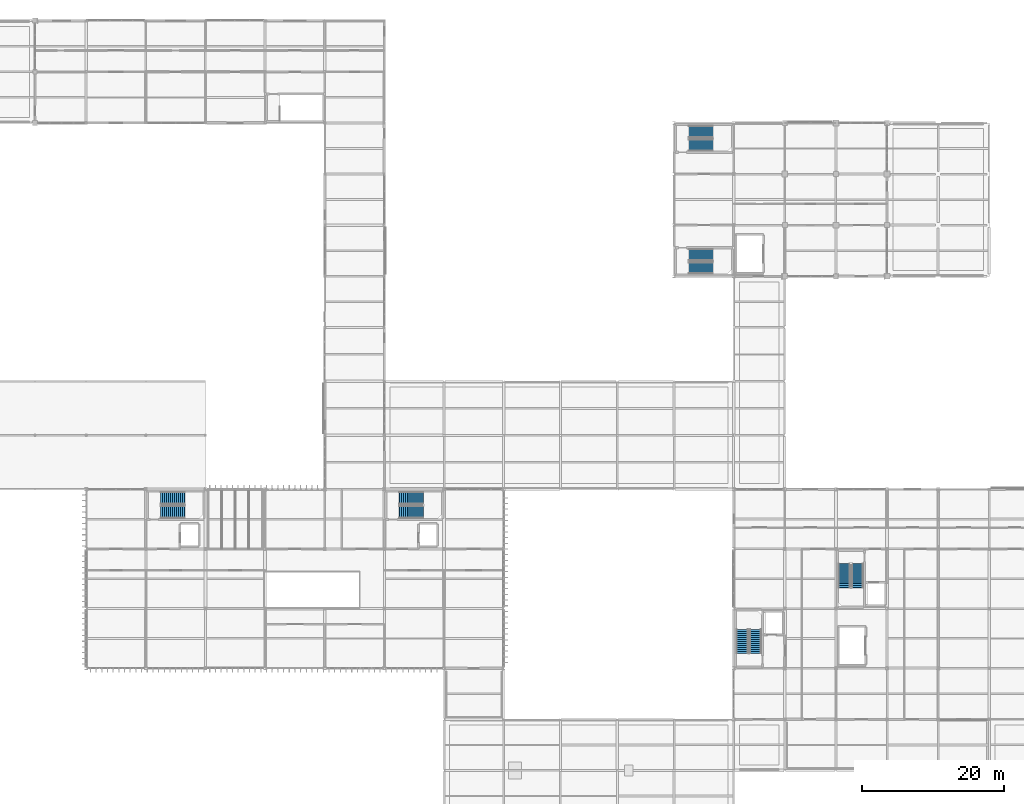
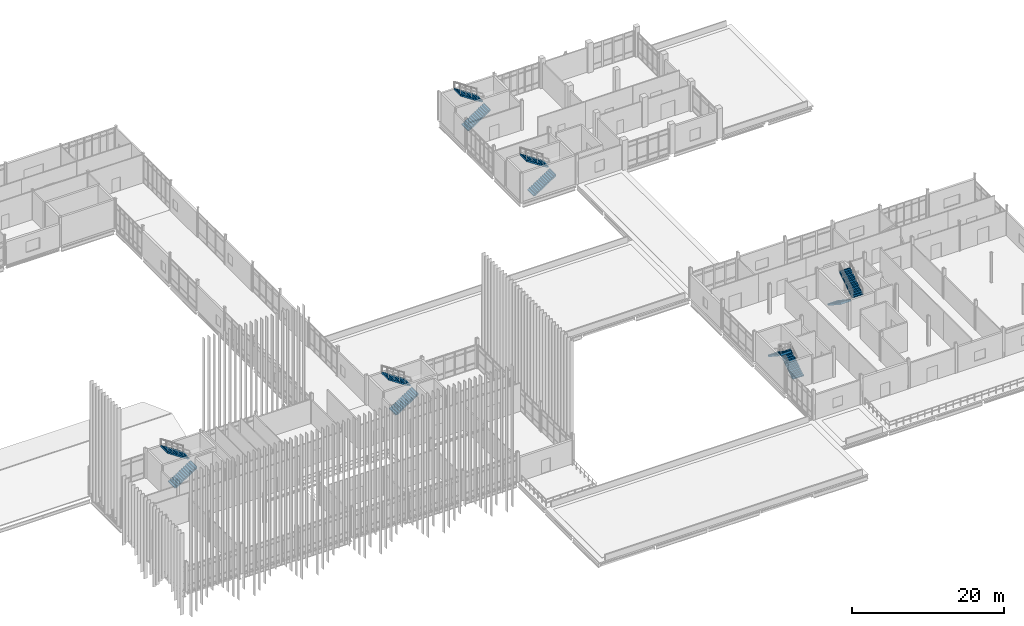
# One storey, part 135 of 153: 12 stair flights, 6 elements without a shape of their own.
"""IFC4 building model written with IfcOpenShell, lengths in metres."""

from ifc_helpers import new_model, si_unit, direction, frame, origin, place, context, subcontext, project, spatial, polyline, outline, extrude, material, type_object, element, aggregate, save


model = new_model("IFC4")

# Units and contexts
model_context = context("Model", 3, precision=1e-05, world=origin(), true_north=direction((0.0, 1.0)))
body_context = subcontext(model_context, "Body", "Model", "MODEL_VIEW")
ifc_project = project(units=[si_unit("LENGTHUNIT", "METRE"), si_unit("AREAUNIT", "SQUARE_METRE"), si_unit("VOLUMEUNIT", "CUBIC_METRE"), si_unit("PLANEANGLEUNIT", "RADIAN"), si_unit("MASSUNIT", "GRAM", prefix="KILO")], contexts=[model_context])

# Site, building, storey
site_placement = place(None, origin())
site = spatial("IfcSite", under=ifc_project, at=site_placement, CompositionType="ELEMENT")
building_placement = place(site_placement, origin())
building = spatial("IfcBuilding", under=site, at=building_placement, Name="Calvrana Isthmian Art Gallery", CompositionType="ELEMENT")
storey_placement = place(building_placement, frame((0.0, 0.0, 10.199951171875)))
storey = spatial("IfcBuildingStorey", under=building, at=storey_placement, Name="L02", CompositionType="ELEMENT", Elevation=10.199951171875)

# Stair, stair flights
ifc_material = material(Name="Concrete C40/50", Category="concrete")
stair_type_1 = type_object("IfcStairType", Name="STR-HT-480", PredefinedType="HALF_TURN_STAIR", material=ifc_material)
stair_1_placement = place(storey_placement, origin())
stair_1 = element("IfcStair", 1, at=stair_1_placement, inside=storey, type_object=stair_type_1, Name="Protected exit stair ST-3 (L02)", PredefinedType="HALF_TURN_STAIR")
stair_flight_type_1 = type_object("IfcStairFlightType", Name="STF-1660", PredefinedType="STRAIGHT", material=ifc_material)
stair_flight_1_placement = place(storey_placement, frame((115.860107421875, 23.699951171875, 0.0), z_axis=(0.0, 0.0, 1.0), x_axis=(0.0, 1.0, 0.0)))
stair_flight_1 = element("IfcStairFlight", 2, at=stair_flight_1_placement, type_object=stair_flight_type_1, Name="ST-3 flight 1", NumberOfRisers=13, NumberOfTreads=12, PredefinedType="STRAIGHT", RiserHeight=0.184615385, TreadLength=0.28, context=body_context, shape_type="SweptSolid", body=[
    extrude(outline(polyline([(-0.02490234375, 0.0), (-0.02490234375, 0.06005859375), (0.0, 0.06005859375), (0.0, 0.1845703125), (0.280029296875, 0.1845703125), (0.280029296875, 0.369140625), (0.56005859375, 0.369140625), (0.56005859375, 0.553955078125), (0.840087890625, 0.553955078125), (0.840087890625, 0.738525390625), (1.1201171875, 0.738525390625), (1.1201171875, 0.923095703125), (1.39990234375, 0.923095703125), (1.39990234375, 1.107666015625), (1.679931640625, 1.107666015625), (1.679931640625, 1.292236328125), (1.9599609375, 1.292236328125), (1.9599609375, 1.476806640625), (2.239990234375, 1.476806640625), (2.239990234375, 1.66162109375), (2.52001953125, 1.66162109375), (2.52001953125, 1.84619140625), (2.800048828125, 1.84619140625), (2.800048828125, 2.03076171875), (3.080078125, 2.03076171875), (3.080078125, 2.21533203125), (3.360107421875, 2.21533203125), (3.360107421875, 2.39990234375), (3.385009765625, 2.39990234375), (3.385009765625, 2.035888671875), (3.360107421875, 2.035888671875), (0.272216796875, 0.0), (-0.02490234375, 0.0)])), frame((0.0, 0.830078125, 0.0), z_axis=(0.0, -1.0, 0.0), x_axis=(1.0, 0.0, 0.0)), (0.0, 0.0, 1.0), 1.659912109375),
])
stair_flight_2_placement = place(storey_placement, frame((114.0, 27.06005859375, 2.400146484375), z_axis=(0.0, 0.0, 1.0), x_axis=(0.0, -1.0, 0.0)))
stair_flight_2 = element("IfcStairFlight", 3, at=stair_flight_2_placement, type_object=stair_flight_type_1, Name="ST-3 flight 2", NumberOfRisers=13, NumberOfTreads=12, PredefinedType="STRAIGHT", RiserHeight=0.184615385, TreadLength=0.28, context=body_context, shape_type="SweptSolid", body=[
    extrude(outline(polyline([(-0.02490234375, 0.0), (-0.02490234375, 0.06005859375), (0.0, 0.06005859375), (0.0, 0.1845703125), (0.280029296875, 0.1845703125), (0.280029296875, 0.369140625), (0.56005859375, 0.369140625), (0.56005859375, 0.553955078125), (0.840087890625, 0.553955078125), (0.840087890625, 0.738525390625), (1.1201171875, 0.738525390625), (1.1201171875, 0.923095703125), (1.39990234375, 0.923095703125), (1.39990234375, 1.107666015625), (1.679931640625, 1.107666015625), (1.679931640625, 1.292236328125), (1.9599609375, 1.292236328125), (1.9599609375, 1.476806640625), (2.239990234375, 1.476806640625), (2.239990234375, 1.66162109375), (2.52001953125, 1.66162109375), (2.52001953125, 1.84619140625), (2.800048828125, 1.84619140625), (2.800048828125, 2.03076171875), (3.080078125, 2.03076171875), (3.080078125, 2.21533203125), (3.360107421875, 2.21533203125), (3.360107421875, 2.39990234375), (3.385009765625, 2.39990234375), (3.385009765625, 2.035888671875), (3.360107421875, 2.035888671875), (0.272216796875, 0.0), (-0.02490234375, 0.0)])), frame((0.0, 0.830078125, 0.0), z_axis=(0.0, -1.0, 0.0), x_axis=(1.0, 0.0, 0.0)), (0.0, 0.0, 1.0), 1.659912109375),
])
aggregate(stair_1, [stair_flight_1, stair_flight_2])

stair_2_placement = place(storey_placement, origin())
stair_2 = element("IfcStair", 4, at=stair_2_placement, inside=storey, type_object=stair_type_1, Name="Protected exit stair ST-4 (L02)", PredefinedType="HALF_TURN_STAIR")
stair_flight_3_placement = place(storey_placement, frame((128.3798828125, 36.300048828125, 0.0), z_axis=(0.0, 0.0, 1.0), x_axis=(0.0, -1.0, 0.0)))
stair_flight_3 = element("IfcStairFlight", 5, at=stair_flight_3_placement, type_object=stair_flight_type_1, Name="ST-4 flight 1", NumberOfRisers=13, NumberOfTreads=12, PredefinedType="STRAIGHT", RiserHeight=0.184615385, TreadLength=0.28, context=body_context, shape_type="SweptSolid", body=[
    extrude(outline(polyline([(-0.02490234375, 0.0), (-0.02490234375, 0.06005859375), (0.0, 0.06005859375), (0.0, 0.1845703125), (0.280029296875, 0.1845703125), (0.280029296875, 0.369140625), (0.56005859375, 0.369140625), (0.56005859375, 0.553955078125), (0.840087890625, 0.553955078125), (0.840087890625, 0.738525390625), (1.1201171875, 0.738525390625), (1.1201171875, 0.923095703125), (1.39990234375, 0.923095703125), (1.39990234375, 1.107666015625), (1.679931640625, 1.107666015625), (1.679931640625, 1.292236328125), (1.9599609375, 1.292236328125), (1.9599609375, 1.476806640625), (2.239990234375, 1.476806640625), (2.239990234375, 1.66162109375), (2.52001953125, 1.66162109375), (2.52001953125, 1.84619140625), (2.800048828125, 1.84619140625), (2.800048828125, 2.03076171875), (3.080078125, 2.03076171875), (3.080078125, 2.21533203125), (3.360107421875, 2.21533203125), (3.360107421875, 2.39990234375), (3.385009765625, 2.39990234375), (3.385009765625, 2.035888671875), (3.360107421875, 2.035888671875), (0.272216796875, 0.0), (-0.02490234375, 0.0)])), frame((0.0, 0.830078125, 0.0), z_axis=(0.0, -1.0, 0.0), x_axis=(1.0, 0.0, 0.0)), (0.0, 0.0, 1.0), 1.659912109375),
])
stair_flight_4_placement = place(storey_placement, frame((130.239990234375, 32.93994140625, 2.400146484375), z_axis=(0.0, 0.0, 1.0), x_axis=(0.0, 1.0, 0.0)))
stair_flight_4 = element("IfcStairFlight", 6, at=stair_flight_4_placement, type_object=stair_flight_type_1, Name="ST-4 flight 2", NumberOfRisers=13, NumberOfTreads=12, PredefinedType="STRAIGHT", RiserHeight=0.184615385, TreadLength=0.28, context=body_context, shape_type="SweptSolid", body=[
    extrude(outline(polyline([(-0.02490234375, 0.0), (-0.02490234375, 0.06005859375), (0.0, 0.06005859375), (0.0, 0.1845703125), (0.280029296875, 0.1845703125), (0.280029296875, 0.369140625), (0.56005859375, 0.369140625), (0.56005859375, 0.553955078125), (0.840087890625, 0.553955078125), (0.840087890625, 0.738525390625), (1.1201171875, 0.738525390625), (1.1201171875, 0.923095703125), (1.39990234375, 0.923095703125), (1.39990234375, 1.107666015625), (1.679931640625, 1.107666015625), (1.679931640625, 1.292236328125), (1.9599609375, 1.292236328125), (1.9599609375, 1.476806640625), (2.239990234375, 1.476806640625), (2.239990234375, 1.66162109375), (2.52001953125, 1.66162109375), (2.52001953125, 1.84619140625), (2.800048828125, 1.84619140625), (2.800048828125, 2.03076171875), (3.080078125, 2.03076171875), (3.080078125, 2.21533203125), (3.360107421875, 2.21533203125), (3.360107421875, 2.39990234375), (3.385009765625, 2.39990234375), (3.385009765625, 2.035888671875), (3.360107421875, 2.035888671875), (0.272216796875, 0.0), (-0.02490234375, 0.0)])), frame((0.0, 0.830078125, 0.0), z_axis=(0.0, -1.0, 0.0), x_axis=(1.0, 0.0, 0.0)), (0.0, 0.0, 1.0), 1.659912109375),
])
aggregate(stair_2, [stair_flight_3, stair_flight_4])

stair_3_placement = place(storey_placement, origin())
stair_3 = element("IfcStair", 7, at=stair_3_placement, inside=storey, type_object=stair_type_1, Name="Protected exit stair ST-5 (L02)", PredefinedType="HALF_TURN_STAIR")
stair_flight_5_placement = place(storey_placement, frame((106.5, 77.97998046875, 0.0), z_axis=(0.0, 0.0, 1.0), x_axis=(1.0, 0.0, 0.0)))
stair_flight_5 = element("IfcStairFlight", 8, at=stair_flight_5_placement, type_object=stair_flight_type_1, Name="ST-5 flight 1", NumberOfRisers=13, NumberOfTreads=12, PredefinedType="STRAIGHT", RiserHeight=0.184615385, TreadLength=0.28, context=body_context, shape_type="SweptSolid", body=[
    extrude(outline(polyline([(-0.02490234375, 0.0), (-0.02490234375, 0.06005859375), (0.0, 0.06005859375), (0.0, 0.1845703125), (0.280029296875, 0.1845703125), (0.280029296875, 0.369140625), (0.56005859375, 0.369140625), (0.56005859375, 0.553955078125), (0.840087890625, 0.553955078125), (0.840087890625, 0.738525390625), (1.1201171875, 0.738525390625), (1.1201171875, 0.923095703125), (1.39990234375, 0.923095703125), (1.39990234375, 1.107666015625), (1.679931640625, 1.107666015625), (1.679931640625, 1.292236328125), (1.9599609375, 1.292236328125), (1.9599609375, 1.476806640625), (2.239990234375, 1.476806640625), (2.239990234375, 1.66162109375), (2.52001953125, 1.66162109375), (2.52001953125, 1.84619140625), (2.800048828125, 1.84619140625), (2.800048828125, 2.03076171875), (3.080078125, 2.03076171875), (3.080078125, 2.21533203125), (3.360107421875, 2.21533203125), (3.360107421875, 2.39990234375), (3.385009765625, 2.39990234375), (3.385009765625, 2.035888671875), (3.360107421875, 2.035888671875), (0.272216796875, 0.0), (-0.02490234375, 0.0)])), frame((0.0, 0.830078125, 0.0), z_axis=(0.0, -1.0, 0.0), x_axis=(1.0, 0.0, 0.0)), (0.0, 0.0, 1.0), 1.659912109375),
])
stair_flight_6_placement = place(storey_placement, frame((109.860107421875, 79.840087890625, 2.400146484375), z_axis=(0.0, 0.0, 1.0), x_axis=(-1.0, 0.0, 0.0)))
stair_flight_6 = element("IfcStairFlight", 9, at=stair_flight_6_placement, type_object=stair_flight_type_1, Name="ST-5 flight 2", NumberOfRisers=13, NumberOfTreads=12, PredefinedType="STRAIGHT", RiserHeight=0.184615385, TreadLength=0.28, context=body_context, shape_type="SweptSolid", body=[
    extrude(outline(polyline([(-0.02490234375, 0.0), (-0.02490234375, 0.06005859375), (0.0, 0.06005859375), (0.0, 0.1845703125), (0.280029296875, 0.1845703125), (0.280029296875, 0.369140625), (0.56005859375, 0.369140625), (0.56005859375, 0.553955078125), (0.840087890625, 0.553955078125), (0.840087890625, 0.738525390625), (1.1201171875, 0.738525390625), (1.1201171875, 0.923095703125), (1.39990234375, 0.923095703125), (1.39990234375, 1.107666015625), (1.679931640625, 1.107666015625), (1.679931640625, 1.292236328125), (1.9599609375, 1.292236328125), (1.9599609375, 1.476806640625), (2.239990234375, 1.476806640625), (2.239990234375, 1.66162109375), (2.52001953125, 1.66162109375), (2.52001953125, 1.84619140625), (2.800048828125, 1.84619140625), (2.800048828125, 2.03076171875), (3.080078125, 2.03076171875), (3.080078125, 2.21533203125), (3.360107421875, 2.21533203125), (3.360107421875, 2.39990234375), (3.385009765625, 2.39990234375), (3.385009765625, 2.035888671875), (3.360107421875, 2.035888671875), (0.272216796875, 0.0), (-0.02490234375, 0.0)])), frame((0.0, 0.830078125, 0.0), z_axis=(0.0, -1.0, 0.0), x_axis=(1.0, 0.0, 0.0)), (0.0, 0.0, 1.0), 1.659912109375),
])
aggregate(stair_3, [stair_flight_5, stair_flight_6])

stair_type_2 = type_object("IfcStairType", Name="STR-TSR-480", PredefinedType="TWO_STRAIGHT_RUN_STAIR", material=ifc_material)
stair_4_placement = place(storey_placement, origin())
stair_4 = element("IfcStair", 10, at=stair_4_placement, inside=storey, type_object=stair_type_2, Name="Protected exit stair ST-8 (L02)", PredefinedType="TWO_STRAIGHT_RUN_STAIR")
stair_flight_type_2 = type_object("IfcStairFlightType", Name="STF-1700", PredefinedType="STRAIGHT", material=ifc_material)
stair_flight_7_placement = place(storey_placement, frame((106.5, 95.280029296875, 0.0), z_axis=(0.0, 0.0, 1.0), x_axis=(1.0, 0.0, 0.0)))
stair_flight_7 = element("IfcStairFlight", 11, at=stair_flight_7_placement, type_object=stair_flight_type_2, Name="ST-8 flight 1", NumberOfRisers=13, NumberOfTreads=12, PredefinedType="STRAIGHT", RiserHeight=0.184615385, TreadLength=0.28, context=body_context, shape_type="SweptSolid", body=[
    extrude(outline(polyline([(-0.02490234375, 0.0), (-0.02490234375, 0.06005859375), (0.0, 0.06005859375), (0.0, 0.1845703125), (0.280029296875, 0.1845703125), (0.280029296875, 0.369140625), (0.56005859375, 0.369140625), (0.56005859375, 0.553955078125), (0.840087890625, 0.553955078125), (0.840087890625, 0.738525390625), (1.1201171875, 0.738525390625), (1.1201171875, 0.923095703125), (1.39990234375, 0.923095703125), (1.39990234375, 1.107666015625), (1.679931640625, 1.107666015625), (1.679931640625, 1.292236328125), (1.9599609375, 1.292236328125), (1.9599609375, 1.476806640625), (2.239990234375, 1.476806640625), (2.239990234375, 1.66162109375), (2.52001953125, 1.66162109375), (2.52001953125, 1.84619140625), (2.800048828125, 1.84619140625), (2.800048828125, 2.03076171875), (3.080078125, 2.03076171875), (3.080078125, 2.21533203125), (3.360107421875, 2.21533203125), (3.360107421875, 2.39990234375), (3.385009765625, 2.39990234375), (3.385009765625, 2.035888671875), (3.360107421875, 2.035888671875), (0.272216796875, 0.0), (-0.02490234375, 0.0)])), frame((0.0, 0.85009765625, 0.0), z_axis=(0.0, -1.0, 0.0), x_axis=(1.0, 0.0, 0.0)), (0.0, 0.0, 1.0), 1.699951171875),
])
stair_flight_8_placement = place(storey_placement, frame((109.860107421875, 97.179931640625, 2.400146484375), z_axis=(0.0, 0.0, 1.0), x_axis=(-1.0, 0.0, 0.0)))
stair_flight_8 = element("IfcStairFlight", 12, at=stair_flight_8_placement, type_object=stair_flight_type_2, Name="ST-8 flight 2", NumberOfRisers=13, NumberOfTreads=12, PredefinedType="STRAIGHT", RiserHeight=0.184615385, TreadLength=0.28, context=body_context, shape_type="SweptSolid", body=[
    extrude(outline(polyline([(-0.02490234375, 0.0), (-0.02490234375, 0.06005859375), (0.0, 0.06005859375), (0.0, 0.1845703125), (0.280029296875, 0.1845703125), (0.280029296875, 0.369140625), (0.56005859375, 0.369140625), (0.56005859375, 0.553955078125), (0.840087890625, 0.553955078125), (0.840087890625, 0.738525390625), (1.1201171875, 0.738525390625), (1.1201171875, 0.923095703125), (1.39990234375, 0.923095703125), (1.39990234375, 1.107666015625), (1.679931640625, 1.107666015625), (1.679931640625, 1.292236328125), (1.9599609375, 1.292236328125), (1.9599609375, 1.476806640625), (2.239990234375, 1.476806640625), (2.239990234375, 1.66162109375), (2.52001953125, 1.66162109375), (2.52001953125, 1.84619140625), (2.800048828125, 1.84619140625), (2.800048828125, 2.03076171875), (3.080078125, 2.03076171875), (3.080078125, 2.21533203125), (3.360107421875, 2.21533203125), (3.360107421875, 2.39990234375), (3.385009765625, 2.39990234375), (3.385009765625, 2.035888671875), (3.360107421875, 2.035888671875), (0.272216796875, 0.0), (-0.02490234375, 0.0)])), frame((0.0, 0.85009765625, 0.0), z_axis=(0.0, -1.0, 0.0), x_axis=(1.0, 0.0, 0.0)), (0.0, 0.0, 1.0), 1.699951171875),
])
aggregate(stair_4, [stair_flight_7, stair_flight_8])

stair_type_3 = type_object("IfcStairType", Name="STR-HT-480W", PredefinedType="HALF_TURN_STAIR", material=ifc_material)
stair_5_placement = place(storey_placement, origin())
stair_5 = element("IfcStair", 13, at=stair_5_placement, inside=storey, type_object=stair_type_3, Name="Protected exit stair ST-1 (L02)", PredefinedType="HALF_TURN_STAIR")
stair_flight_type_3 = type_object("IfcStairFlightType", Name="STF-1760", PredefinedType="STRAIGHT", material=ifc_material)
stair_flight_9_placement = place(storey_placement, frame((32.10009765625, 43.590087890625, 0.0), z_axis=(0.0, 0.0, 1.0), x_axis=(1.0, 0.0, 0.0)))
stair_flight_9 = element("IfcStairFlight", 14, at=stair_flight_9_placement, type_object=stair_flight_type_3, Name="ST-1 flight 1", NumberOfRisers=13, NumberOfTreads=12, PredefinedType="STRAIGHT", RiserHeight=0.184615385, TreadLength=0.28, context=body_context, shape_type="SweptSolid", body=[
    extrude(outline(polyline([(-0.02490234375, 0.0), (-0.02490234375, 0.06005859375), (0.0, 0.06005859375), (0.0, 0.1845703125), (0.280029296875, 0.1845703125), (0.280029296875, 0.369140625), (0.56005859375, 0.369140625), (0.56005859375, 0.553955078125), (0.840087890625, 0.553955078125), (0.840087890625, 0.738525390625), (1.1201171875, 0.738525390625), (1.1201171875, 0.923095703125), (1.39990234375, 0.923095703125), (1.39990234375, 1.107666015625), (1.679931640625, 1.107666015625), (1.679931640625, 1.292236328125), (1.9599609375, 1.292236328125), (1.9599609375, 1.476806640625), (2.239990234375, 1.476806640625), (2.239990234375, 1.66162109375), (2.52001953125, 1.66162109375), (2.52001953125, 1.84619140625), (2.800048828125, 1.84619140625), (2.800048828125, 2.03076171875), (3.080078125, 2.03076171875), (3.080078125, 2.21533203125), (3.360107421875, 2.21533203125), (3.360107421875, 2.39990234375), (3.385009765625, 2.39990234375), (3.385009765625, 2.035888671875), (3.360107421875, 2.035888671875), (0.272216796875, 0.0), (-0.02490234375, 0.0)])), frame((0.0, 0.8798828125, 0.0), z_axis=(0.0, -1.0, 0.0), x_axis=(1.0, 0.0, 0.0)), (0.0, 0.0, 1.0), 1.760009765625),
])
stair_flight_10_placement = place(storey_placement, frame((35.4599609375, 45.550048828125, 2.400146484375), z_axis=(0.0, 0.0, 1.0), x_axis=(-1.0, 0.0, 0.0)))
stair_flight_10 = element("IfcStairFlight", 15, at=stair_flight_10_placement, type_object=stair_flight_type_3, Name="ST-1 flight 2", NumberOfRisers=13, NumberOfTreads=12, PredefinedType="STRAIGHT", RiserHeight=0.184615385, TreadLength=0.28, context=body_context, shape_type="SweptSolid", body=[
    extrude(outline(polyline([(-0.02490234375, 0.0), (-0.02490234375, 0.06005859375), (0.0, 0.06005859375), (0.0, 0.1845703125), (0.280029296875, 0.1845703125), (0.280029296875, 0.369140625), (0.56005859375, 0.369140625), (0.56005859375, 0.553955078125), (0.840087890625, 0.553955078125), (0.840087890625, 0.738525390625), (1.1201171875, 0.738525390625), (1.1201171875, 0.923095703125), (1.39990234375, 0.923095703125), (1.39990234375, 1.107666015625), (1.679931640625, 1.107666015625), (1.679931640625, 1.292236328125), (1.9599609375, 1.292236328125), (1.9599609375, 1.476806640625), (2.239990234375, 1.476806640625), (2.239990234375, 1.66162109375), (2.52001953125, 1.66162109375), (2.52001953125, 1.84619140625), (2.800048828125, 1.84619140625), (2.800048828125, 2.03076171875), (3.080078125, 2.03076171875), (3.080078125, 2.21533203125), (3.360107421875, 2.21533203125), (3.360107421875, 2.39990234375), (3.385009765625, 2.39990234375), (3.385009765625, 2.035888671875), (3.360107421875, 2.035888671875), (0.272216796875, 0.0), (-0.02490234375, 0.0)])), frame((0.0, 0.8798828125, 0.0), z_axis=(0.0, -1.0, 0.0), x_axis=(1.0, 0.0, 0.0)), (0.0, 0.0, 1.0), 1.760009765625),
])
aggregate(stair_5, [stair_flight_9, stair_flight_10])

stair_6_placement = place(storey_placement, origin())
stair_6 = element("IfcStair", 16, at=stair_6_placement, inside=storey, type_object=stair_type_3, Name="Protected exit stair ST-2 (L02)", PredefinedType="HALF_TURN_STAIR")
stair_flight_11_placement = place(storey_placement, frame((65.699951171875, 43.590087890625, 0.0), z_axis=(0.0, 0.0, 1.0), x_axis=(1.0, 0.0, 0.0)))
stair_flight_11 = element("IfcStairFlight", 17, at=stair_flight_11_placement, type_object=stair_flight_type_3, Name="ST-2 flight 1", NumberOfRisers=13, NumberOfTreads=12, PredefinedType="STRAIGHT", RiserHeight=0.184615385, TreadLength=0.28, context=body_context, shape_type="SweptSolid", body=[
    extrude(outline(polyline([(-0.02490234375, 0.0), (-0.02490234375, 0.06005859375), (0.0, 0.06005859375), (0.0, 0.1845703125), (0.280029296875, 0.1845703125), (0.280029296875, 0.369140625), (0.56005859375, 0.369140625), (0.56005859375, 0.553955078125), (0.840087890625, 0.553955078125), (0.840087890625, 0.738525390625), (1.1201171875, 0.738525390625), (1.1201171875, 0.923095703125), (1.39990234375, 0.923095703125), (1.39990234375, 1.107666015625), (1.679931640625, 1.107666015625), (1.679931640625, 1.292236328125), (1.9599609375, 1.292236328125), (1.9599609375, 1.476806640625), (2.239990234375, 1.476806640625), (2.239990234375, 1.66162109375), (2.52001953125, 1.66162109375), (2.52001953125, 1.84619140625), (2.800048828125, 1.84619140625), (2.800048828125, 2.03076171875), (3.080078125, 2.03076171875), (3.080078125, 2.21533203125), (3.360107421875, 2.21533203125), (3.360107421875, 2.39990234375), (3.385009765625, 2.39990234375), (3.385009765625, 2.035888671875), (3.360107421875, 2.035888671875), (0.272216796875, 0.0), (-0.02490234375, 0.0)])), frame((0.0, 0.8798828125, 0.0), z_axis=(0.0, -1.0, 0.0), x_axis=(1.0, 0.0, 0.0)), (0.0, 0.0, 1.0), 1.760009765625),
])
stair_flight_12_placement = place(storey_placement, frame((69.06005859375, 45.550048828125, 2.400146484375), z_axis=(0.0, 0.0, 1.0), x_axis=(-1.0, 0.0, 0.0)))
stair_flight_12 = element("IfcStairFlight", 18, at=stair_flight_12_placement, type_object=stair_flight_type_3, Name="ST-2 flight 2", NumberOfRisers=13, NumberOfTreads=12, PredefinedType="STRAIGHT", RiserHeight=0.184615385, TreadLength=0.28, context=body_context, shape_type="SweptSolid", body=[
    extrude(outline(polyline([(-0.02490234375, 0.0), (-0.02490234375, 0.06005859375), (0.0, 0.06005859375), (0.0, 0.1845703125), (0.280029296875, 0.1845703125), (0.280029296875, 0.369140625), (0.56005859375, 0.369140625), (0.56005859375, 0.553955078125), (0.840087890625, 0.553955078125), (0.840087890625, 0.738525390625), (1.1201171875, 0.738525390625), (1.1201171875, 0.923095703125), (1.39990234375, 0.923095703125), (1.39990234375, 1.107666015625), (1.679931640625, 1.107666015625), (1.679931640625, 1.292236328125), (1.9599609375, 1.292236328125), (1.9599609375, 1.476806640625), (2.239990234375, 1.476806640625), (2.239990234375, 1.66162109375), (2.52001953125, 1.66162109375), (2.52001953125, 1.84619140625), (2.800048828125, 1.84619140625), (2.800048828125, 2.03076171875), (3.080078125, 2.03076171875), (3.080078125, 2.21533203125), (3.360107421875, 2.21533203125), (3.360107421875, 2.39990234375), (3.385009765625, 2.39990234375), (3.385009765625, 2.035888671875), (3.360107421875, 2.035888671875), (0.272216796875, 0.0), (-0.02490234375, 0.0)])), frame((0.0, 0.8798828125, 0.0), z_axis=(0.0, -1.0, 0.0), x_axis=(1.0, 0.0, 0.0)), (0.0, 0.0, 1.0), 1.760009765625),
])
aggregate(stair_6, [stair_flight_11, stair_flight_12])

save(model, "model.ifc")
